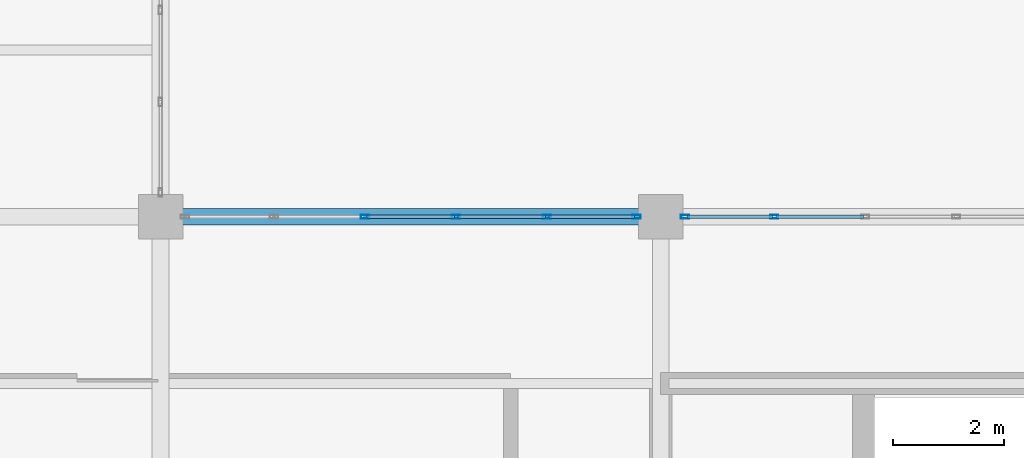
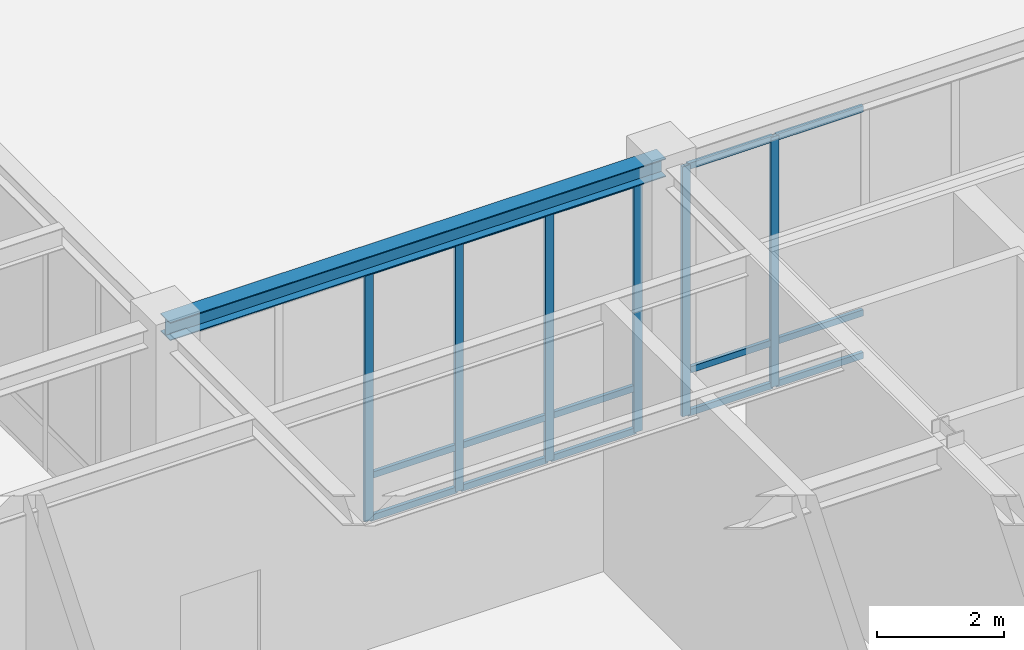
# One storey, part 36 of 77: 21 members, 1 beam, 2 elements without a shape of their own.
"""IFC4 building model written with IfcOpenShell, lengths in metres."""

from ifc_helpers import new_model, si_unit, direction, frame, origin, origin_2d, place, context, subcontext, project, spatial, hollow_rectangle, i_section, extrude, material, material_profile, profile_set, type_object, element, aggregate, save


model = new_model("IFC4")

# Units and contexts
model_context = context("Model", 3, precision=1e-05, world=origin(), true_north=direction((0.0, 1.0)))
body_context = subcontext(model_context, "Body", "Model", "MODEL_VIEW")
ifc_project = project(units=[si_unit("LENGTHUNIT", "METRE"), si_unit("AREAUNIT", "SQUARE_METRE"), si_unit("VOLUMEUNIT", "CUBIC_METRE"), si_unit("PLANEANGLEUNIT", "RADIAN"), si_unit("MASSUNIT", "GRAM", prefix="KILO")], contexts=[model_context])

# Site, building, storey
site_placement = place(None, origin())
site = spatial("IfcSite", under=ifc_project, at=site_placement, CompositionType="ELEMENT")
building_placement = place(site_placement, origin())
building = spatial("IfcBuilding", under=site, at=building_placement, Name="Lykobir Media Centre", CompositionType="ELEMENT")
storey_placement = place(building_placement, origin())
storey = spatial("IfcBuildingStorey", under=building, at=storey_placement, Name="L00", CompositionType="ELEMENT", Elevation=0.0)

# Curtain wall, members
ifc_material_1 = material(Name="Anodized Aluminium AW-6060", Category="aluminium")
curtain_wall_type = type_object("IfcCurtainWallType", Name="CW-COURT-A", PredefinedType="NOTDEFINED", material=ifc_material_1)
curtain_wall_1_placement = place(storey_placement, origin())
curtain_wall_1 = element("IfcCurtainWall", 1, at=curtain_wall_1_placement, inside=storey, type_object=curtain_wall_type, Name="Curtain wall CW2-L00-0001", PredefinedType="NOTDEFINED")
ifc_material_profile_1 = material_profile(ifc_material_1, hollow_rectangle(XDim=0.06494140625, YDim=0.14990234375, WallThickness=0.00341796875, at=origin_2d()), Name="ALU MULLION 65x150")
ifc_profile_set_1 = profile_set([ifc_material_profile_1], Name="Anodized Aluminium AW-6060")
member_type_1 = type_object("IfcMemberType", Name="CWM-150", PredefinedType="MULLION", material=ifc_profile_set_1)
member_1_placement = place(storey_placement, frame((111.680908203125, 18.0, 0.0), z_axis=(0.0, 0.0, 1.0), x_axis=(0.0, 1.0, 0.0)))
member_1 = element("IfcMember", 2, at=member_1_placement, type_object=member_type_1, Name="CW2-L00-0001 mullion 3", PredefinedType="MULLION", context=body_context, shape_type="SweptSolid", body=[
    extrude(hollow_rectangle(XDim=0.06494140625, YDim=0.14990234375, WallThickness=0.00341796875, at=origin_2d()), origin(), (0.0, 0.0, 1.0), 4.794921875),
])
member_2_placement = place(storey_placement, frame((113.319091796875, 18.0, 0.0), z_axis=(0.0, 0.0, 1.0), x_axis=(0.0, 1.0, 0.0)))
member_2 = element("IfcMember", 3, at=member_2_placement, type_object=member_type_1, Name="CW2-L00-0001 mullion 4", PredefinedType="MULLION", context=body_context, shape_type="SweptSolid", body=[
    extrude(hollow_rectangle(XDim=0.06494140625, YDim=0.14990234375, WallThickness=0.00341796875, at=origin_2d()), origin(), (0.0, 0.0, 1.0), 4.794921875),
])
member_3_placement = place(storey_placement, frame((114.95703125, 18.0, 0.0), z_axis=(0.0, 0.0, 1.0), x_axis=(0.0, 1.0, 0.0)))
member_3 = element("IfcMember", 4, at=member_3_placement, type_object=member_type_1, Name="CW2-L00-0001 mullion 5", PredefinedType="MULLION", context=body_context, shape_type="SweptSolid", body=[
    extrude(hollow_rectangle(XDim=0.06494140625, YDim=0.14990234375, WallThickness=0.00341796875, at=origin_2d()), origin(), (0.0, 0.0, 1.0), 4.794921875),
])
member_4_placement = place(storey_placement, frame((116.5625, 18.0, 0.0), z_axis=(0.0, 0.0, 1.0), x_axis=(0.0, 1.0, 0.0)))
member_4 = element("IfcMember", 5, at=member_4_placement, type_object=member_type_1, Name="CW2-L00-0001 mullion 6", PredefinedType="MULLION", context=body_context, shape_type="SweptSolid", body=[
    extrude(hollow_rectangle(XDim=0.06494140625, YDim=0.14990234375, WallThickness=0.00341796875, at=origin_2d()), origin(), (0.0, 0.0, 1.0), 4.794921875),
])

curtain_wall_2_placement = place(storey_placement, origin())
curtain_wall_2 = element("IfcCurtainWall", 6, at=curtain_wall_2_placement, inside=storey, type_object=curtain_wall_type, Name="Curtain wall CW2-L00-0002", PredefinedType="NOTDEFINED")
member_5_placement = place(storey_placement, frame((117.4375, 18.0, 0.0), z_axis=(0.0, 0.0, 1.0), x_axis=(0.0, 1.0, 0.0)))
member_5 = element("IfcMember", 7, at=member_5_placement, type_object=member_type_1, Name="CW2-L00-0002 mullion 1", PredefinedType="MULLION", context=body_context, shape_type="SweptSolid", body=[
    extrude(hollow_rectangle(XDim=0.06494140625, YDim=0.14990234375, WallThickness=0.00341796875, at=origin_2d()), origin(), (0.0, 0.0, 1.0), 4.794921875),
])
member_6_placement = place(storey_placement, frame((119.04296875, 18.0, 0.0), z_axis=(0.0, 0.0, 1.0), x_axis=(0.0, 1.0, 0.0)))
member_6 = element("IfcMember", 8, at=member_6_placement, type_object=member_type_1, Name="CW2-L00-0002 mullion 2", PredefinedType="MULLION", context=body_context, shape_type="SweptSolid", body=[
    extrude(hollow_rectangle(XDim=0.06494140625, YDim=0.14990234375, WallThickness=0.00341796875, at=origin_2d()), origin(), (0.0, 0.0, 1.0), 4.794921875),
])

# Member
ifc_material_profile_2 = material_profile(ifc_material_1, hollow_rectangle(XDim=0.06494140625, YDim=0.1201171875, WallThickness=0.0029296875, at=origin_2d()), Name="ALU TRANSOM 65x120")
ifc_profile_set_2 = profile_set([ifc_material_profile_2], Name="Anodized Aluminium AW-6060")
member_type_2 = type_object("IfcMemberType", Name="CWT-120", PredefinedType="USERDEFINED", material=ifc_profile_set_2)
member_7_placement = place(storey_placement, frame((111.71337890625, 18.0, 0.032470703125), z_axis=(1.0, 0.0, 0.0), x_axis=(0.0, 1.0, 0.0)))
member_7 = element("IfcMember", 9, at=member_7_placement, type_object=member_type_2, Name="CW2-L00-0001 transom 3.1", ObjectType="TRANSOM", PredefinedType="USERDEFINED", context=body_context, shape_type="SweptSolid", body=[
    extrude(hollow_rectangle(XDim=0.06494140625, YDim=0.1201171875, WallThickness=0.0029296875, at=origin_2d()), origin(), (0.0, 0.0, 1.0), 1.5732421875),
])

member_8_placement = place(storey_placement, frame((111.71337890625, 18.0, 0.85009765625), z_axis=(1.0, 0.0, 0.0), x_axis=(0.0, 1.0, 0.0)))
member_8 = element("IfcMember", 10, at=member_8_placement, type_object=member_type_2, Name="CW2-L00-0001 transom 3.2", ObjectType="TRANSOM", PredefinedType="USERDEFINED", context=body_context, shape_type="SweptSolid", body=[
    extrude(hollow_rectangle(XDim=0.06494140625, YDim=0.1201171875, WallThickness=0.0029296875, at=origin_2d()), origin(), (0.0, 0.0, 1.0), 1.5732421875),
])

member_9_placement = place(storey_placement, frame((111.71337890625, 18.0, 4.762451171875), z_axis=(1.0, 0.0, 0.0), x_axis=(0.0, 1.0, 0.0)))
member_9 = element("IfcMember", 11, at=member_9_placement, type_object=member_type_2, Name="CW2-L00-0001 transom 3.3", ObjectType="TRANSOM", PredefinedType="USERDEFINED", context=body_context, shape_type="SweptSolid", body=[
    extrude(hollow_rectangle(XDim=0.06494140625, YDim=0.1201171875, WallThickness=0.0029296875, at=origin_2d()), origin(), (0.0, 0.0, 1.0), 1.5732421875),
])

member_10_placement = place(storey_placement, frame((113.3515625, 18.0, 0.032470703125), z_axis=(1.0, 0.0, 0.0), x_axis=(0.0, 1.0, 0.0)))
member_10 = element("IfcMember", 12, at=member_10_placement, type_object=member_type_2, Name="CW2-L00-0001 transom 4.1", ObjectType="TRANSOM", PredefinedType="USERDEFINED", context=body_context, shape_type="SweptSolid", body=[
    extrude(hollow_rectangle(XDim=0.06494140625, YDim=0.1201171875, WallThickness=0.0029296875, at=origin_2d()), origin(), (0.0, 0.0, 1.0), 1.572998046875),
])

member_11_placement = place(storey_placement, frame((113.3515625, 18.0, 0.85009765625), z_axis=(1.0, 0.0, 0.0), x_axis=(0.0, 1.0, 0.0)))
member_11 = element("IfcMember", 13, at=member_11_placement, type_object=member_type_2, Name="CW2-L00-0001 transom 4.2", ObjectType="TRANSOM", PredefinedType="USERDEFINED", context=body_context, shape_type="SweptSolid", body=[
    extrude(hollow_rectangle(XDim=0.06494140625, YDim=0.1201171875, WallThickness=0.0029296875, at=origin_2d()), origin(), (0.0, 0.0, 1.0), 1.572998046875),
])

member_12_placement = place(storey_placement, frame((113.3515625, 18.0, 4.762451171875), z_axis=(1.0, 0.0, 0.0), x_axis=(0.0, 1.0, 0.0)))
member_12 = element("IfcMember", 14, at=member_12_placement, type_object=member_type_2, Name="CW2-L00-0001 transom 4.3", ObjectType="TRANSOM", PredefinedType="USERDEFINED", context=body_context, shape_type="SweptSolid", body=[
    extrude(hollow_rectangle(XDim=0.06494140625, YDim=0.1201171875, WallThickness=0.0029296875, at=origin_2d()), origin(), (0.0, 0.0, 1.0), 1.572998046875),
])

member_13_placement = place(storey_placement, frame((114.989501953125, 18.0, 0.032470703125), z_axis=(1.0, 0.0, 0.0), x_axis=(0.0, 1.0, 0.0)))
member_13 = element("IfcMember", 15, at=member_13_placement, type_object=member_type_2, Name="CW2-L00-0001 transom 5.1", ObjectType="TRANSOM", PredefinedType="USERDEFINED", context=body_context, shape_type="SweptSolid", body=[
    extrude(hollow_rectangle(XDim=0.06494140625, YDim=0.1201171875, WallThickness=0.0029296875, at=origin_2d()), origin(), (0.0, 0.0, 1.0), 1.54052734375),
])

member_14_placement = place(storey_placement, frame((114.989501953125, 18.0, 0.85009765625), z_axis=(1.0, 0.0, 0.0), x_axis=(0.0, 1.0, 0.0)))
member_14 = element("IfcMember", 16, at=member_14_placement, type_object=member_type_2, Name="CW2-L00-0001 transom 5.2", ObjectType="TRANSOM", PredefinedType="USERDEFINED", context=body_context, shape_type="SweptSolid", body=[
    extrude(hollow_rectangle(XDim=0.06494140625, YDim=0.1201171875, WallThickness=0.0029296875, at=origin_2d()), origin(), (0.0, 0.0, 1.0), 1.54052734375),
])

member_15_placement = place(storey_placement, frame((114.989501953125, 18.0, 4.762451171875), z_axis=(1.0, 0.0, 0.0), x_axis=(0.0, 1.0, 0.0)))
member_15 = element("IfcMember", 17, at=member_15_placement, type_object=member_type_2, Name="CW2-L00-0001 transom 5.3", ObjectType="TRANSOM", PredefinedType="USERDEFINED", context=body_context, shape_type="SweptSolid", body=[
    extrude(hollow_rectangle(XDim=0.06494140625, YDim=0.1201171875, WallThickness=0.0029296875, at=origin_2d()), origin(), (0.0, 0.0, 1.0), 1.54052734375),
])

aggregate(curtain_wall_1, [member_1, member_2, member_3, member_4, member_7, member_8, member_9, member_10, member_11, member_12, member_13, member_14, member_15])

member_16_placement = place(storey_placement, frame((117.469970703125, 18.0, 0.032470703125), z_axis=(1.0, 0.0, 0.0), x_axis=(0.0, 1.0, 0.0)))
member_16 = element("IfcMember", 18, at=member_16_placement, type_object=member_type_2, Name="CW2-L00-0002 transom 1.1", ObjectType="TRANSOM", PredefinedType="USERDEFINED", context=body_context, shape_type="SweptSolid", body=[
    extrude(hollow_rectangle(XDim=0.06494140625, YDim=0.1201171875, WallThickness=0.0029296875, at=origin_2d()), origin(), (0.0, 0.0, 1.0), 1.54052734375),
])

member_17_placement = place(storey_placement, frame((117.469970703125, 18.0, 0.85009765625), z_axis=(1.0, 0.0, 0.0), x_axis=(0.0, 1.0, 0.0)))
member_17 = element("IfcMember", 19, at=member_17_placement, type_object=member_type_2, Name="CW2-L00-0002 transom 1.2", ObjectType="TRANSOM", PredefinedType="USERDEFINED", context=body_context, shape_type="SweptSolid", body=[
    extrude(hollow_rectangle(XDim=0.06494140625, YDim=0.1201171875, WallThickness=0.0029296875, at=origin_2d()), origin(), (0.0, 0.0, 1.0), 1.54052734375),
])

member_18_placement = place(storey_placement, frame((117.469970703125, 18.0, 4.762451171875), z_axis=(1.0, 0.0, 0.0), x_axis=(0.0, 1.0, 0.0)))
member_18 = element("IfcMember", 20, at=member_18_placement, type_object=member_type_2, Name="CW2-L00-0002 transom 1.3", ObjectType="TRANSOM", PredefinedType="USERDEFINED", context=body_context, shape_type="SweptSolid", body=[
    extrude(hollow_rectangle(XDim=0.06494140625, YDim=0.1201171875, WallThickness=0.0029296875, at=origin_2d()), origin(), (0.0, 0.0, 1.0), 1.54052734375),
])

member_19_placement = place(storey_placement, frame((119.075439453125, 18.0, 0.032470703125), z_axis=(1.0, 0.0, 0.0), x_axis=(0.0, 1.0, 0.0)))
member_19 = element("IfcMember", 21, at=member_19_placement, type_object=member_type_2, Name="CW2-L00-0002 transom 2.1", ObjectType="TRANSOM", PredefinedType="USERDEFINED", context=body_context, shape_type="SweptSolid", body=[
    extrude(hollow_rectangle(XDim=0.06494140625, YDim=0.1201171875, WallThickness=0.0029296875, at=origin_2d()), origin(), (0.0, 0.0, 1.0), 1.572998046875),
])

member_20_placement = place(storey_placement, frame((119.075439453125, 18.0, 0.85009765625), z_axis=(1.0, 0.0, 0.0), x_axis=(0.0, 1.0, 0.0)))
member_20 = element("IfcMember", 22, at=member_20_placement, type_object=member_type_2, Name="CW2-L00-0002 transom 2.2", ObjectType="TRANSOM", PredefinedType="USERDEFINED", context=body_context, shape_type="SweptSolid", body=[
    extrude(hollow_rectangle(XDim=0.06494140625, YDim=0.1201171875, WallThickness=0.0029296875, at=origin_2d()), origin(), (0.0, 0.0, 1.0), 1.572998046875),
])

member_21_placement = place(storey_placement, frame((119.075439453125, 18.0, 4.762451171875), z_axis=(1.0, 0.0, 0.0), x_axis=(0.0, 1.0, 0.0)))
member_21 = element("IfcMember", 23, at=member_21_placement, type_object=member_type_2, Name="CW2-L00-0002 transom 2.3", ObjectType="TRANSOM", PredefinedType="USERDEFINED", context=body_context, shape_type="SweptSolid", body=[
    extrude(hollow_rectangle(XDim=0.06494140625, YDim=0.1201171875, WallThickness=0.0029296875, at=origin_2d()), origin(), (0.0, 0.0, 1.0), 1.572998046875),
])

aggregate(curtain_wall_2, [member_5, member_6, member_16, member_17, member_18, member_19, member_20, member_21])

# Beam
ifc_material_2 = material(Name="Steel S355", Category="steel")
ifc_material_profile_3 = material_profile(ifc_material_2, i_section(OverallWidth=0.300048828125, OverallDepth=0.35009765625, WebThickness=0.010009765625, FlangeThickness=0.017578125, at=origin_2d()), Name="HEA 360")
ifc_profile_set_3 = profile_set([ifc_material_profile_3], Name="Steel S355")
beam_type = type_object("IfcBeamType", Name="SP-HEA360", PredefinedType="SPANDREL", material=ifc_profile_set_3)
beam_placement = place(storey_placement, frame((108.0, 18.0, 4.985107421875), z_axis=(1.0, 0.0, 0.0), x_axis=(0.0, 1.0, 0.0)))
element("IfcBeam", 24, at=beam_placement, inside=storey, type_object=beam_type, Name="Beam BM-L00-1080-0180-1170-0180-499", PredefinedType="SPANDREL", context=body_context, shape_type="SweptSolid", body=[
    extrude(i_section(OverallWidth=0.300048828125, OverallDepth=0.35009765625, WebThickness=0.010009765625, FlangeThickness=0.017578125, at=origin_2d()), origin(), (0.0, 0.0, 1.0), 9.0),
])

save(model, "model.ifc")
